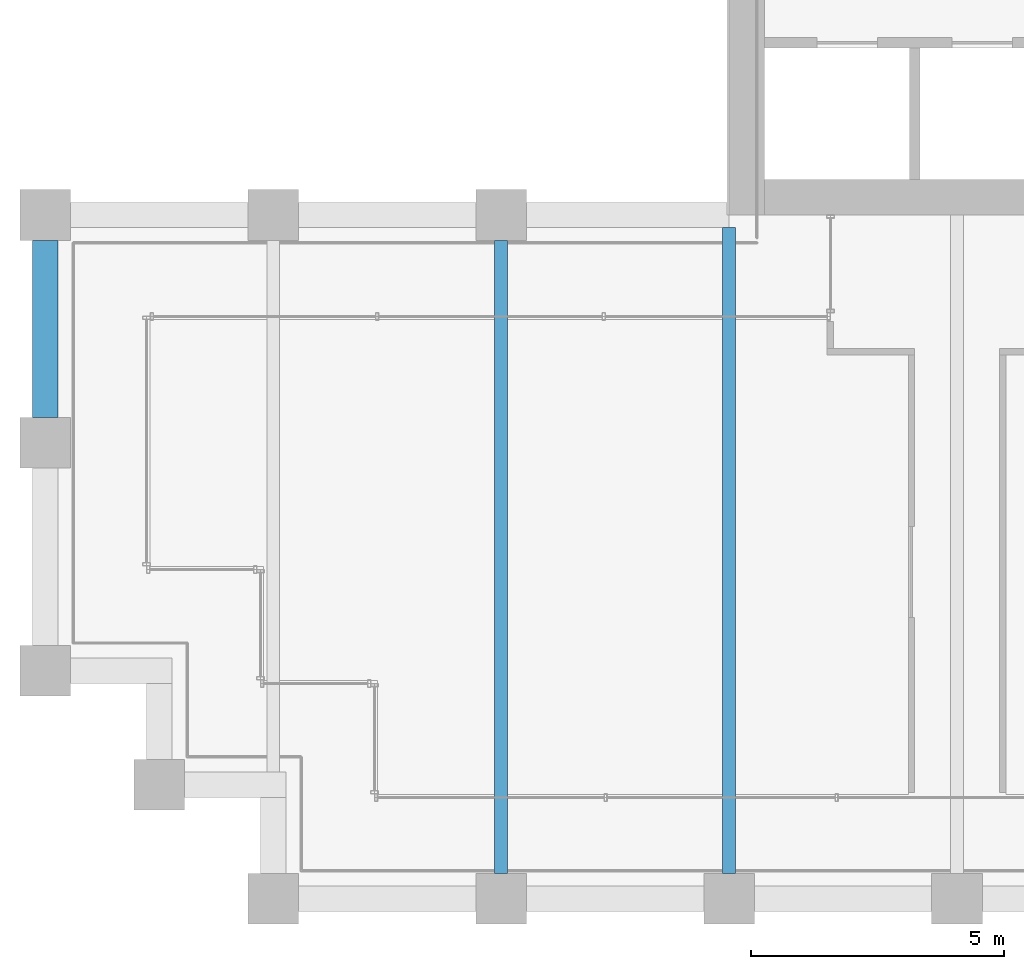
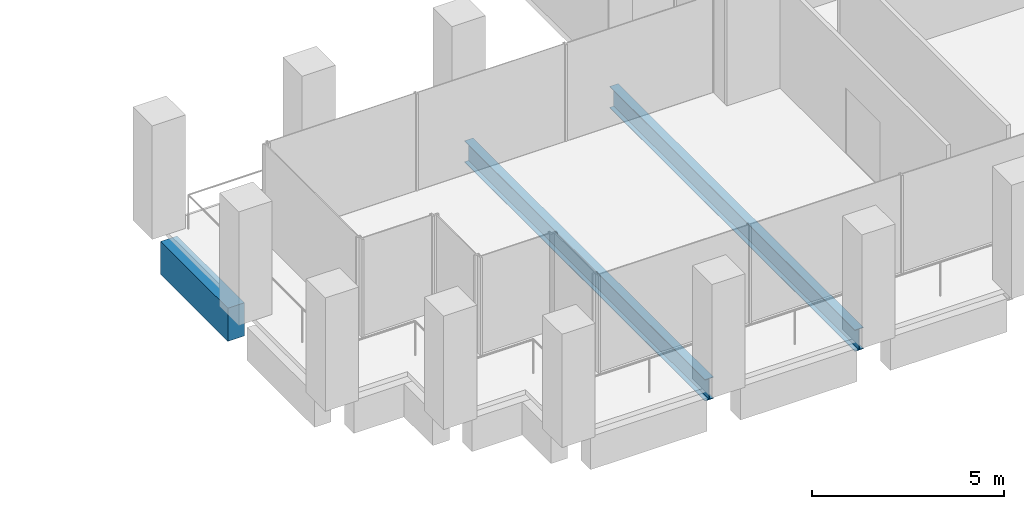
# One storey, part 4 of 46: 3 beams.
"""IFC4 building model written with IfcOpenShell, lengths in metres."""

from ifc_helpers import new_model, si_unit, direction, frame, origin, origin_2d, place, context, subcontext, project, spatial, rectangle, i_section, extrude, material, material_profile, profile_set, type_object, element, save


model = new_model("IFC4")

# Units and contexts
model_context = context("Model", 3, precision=1e-05, world=origin(), true_north=direction((0.0, 1.0)))
body_context = subcontext(model_context, "Body", "Model", "MODEL_VIEW")
ifc_project = project(units=[si_unit("LENGTHUNIT", "METRE"), si_unit("AREAUNIT", "SQUARE_METRE"), si_unit("VOLUMEUNIT", "CUBIC_METRE"), si_unit("PLANEANGLEUNIT", "RADIAN"), si_unit("MASSUNIT", "GRAM", prefix="KILO")], contexts=[model_context])

# Site, building, storey
site_placement = place(None, origin())
site = spatial("IfcSite", under=ifc_project, at=site_placement, CompositionType="ELEMENT")
building_placement = place(site_placement, origin())
building = spatial("IfcBuilding", under=site, at=building_placement, Name="Altepetl Exchange Towers", CompositionType="ELEMENT")
storey_placement = place(building_placement, frame((0.0, 0.0, 131.60009765625)))
storey = spatial("IfcBuildingStorey", under=building, at=storey_placement, Name="L32", CompositionType="ELEMENT", Elevation=131.60009765625)

# Beams
ifc_material_1 = material(Name="Steel S355", Category="steel")
ifc_material_profile_1 = material_profile(ifc_material_1, i_section(OverallWidth=0.25390625, OverallDepth=0.68408203125, WebThickness=0.012451171875, FlangeThickness=0.018798828125, at=origin_2d()), Name="W27X94")
ifc_profile_set_1 = profile_set([ifc_material_profile_1], Name="Steel S355")
beam_type_1 = type_object("IfcBeamType", Name="Floor beam W27X94", PredefinedType="BEAM", material=ifc_profile_set_1)
beam_1_placement = place(storey_placement, frame((36.0, 27.5, -0.4921875), z_axis=(0.0, 1.0, 0.0), x_axis=(-1.0, 0.0, 0.0)))
element("IfcBeam", 1, at=beam_1_placement, inside=storey, type_object=beam_type_1, Name="bm:A:L32:013", PredefinedType="BEAM", context=body_context, shape_type="SweptSolid", body=[
    extrude(i_section(OverallWidth=0.25390625, OverallDepth=0.68408203125, WebThickness=0.012451171875, FlangeThickness=0.018798828125, at=origin_2d()), origin(), (0.0, 0.0, 1.0), 12.5),
])
beam_2_placement = place(storey_placement, frame((40.5, 27.5, -0.4921875), z_axis=(0.0, 1.0, 0.0), x_axis=(-1.0, 0.0, 0.0)))
element("IfcBeam", 2, at=beam_2_placement, inside=storey, type_object=beam_type_1, Name="bm:A:L32:014", PredefinedType="BEAM", context=body_context, shape_type="SweptSolid", body=[
    extrude(i_section(OverallWidth=0.25390625, OverallDepth=0.68408203125, WebThickness=0.012451171875, FlangeThickness=0.018798828125, at=origin_2d()), origin(), (0.0, 0.0, 1.0), 12.75),
])
ifc_material_2 = material(Name="Concrete C50/60 precast with cantera blanca facing", Category="concrete")
ifc_material_profile_2 = material_profile(ifc_material_2, rectangle(XDim=0.5, YDim=1.050048828125, at=origin_2d()), Name="500 x 1050")
ifc_profile_set_2 = profile_set([ifc_material_profile_2], Name="Concrete C50/60 precast with cantera blanca facing")
beam_type_2 = type_object("IfcBeamType", Name="Spandrel beam 500x1050 cantera blanca", PredefinedType="SPANDREL", material=ifc_profile_set_2)
beam_3_placement = place(storey_placement, frame((27.0, 40.0, -0.675048828125), z_axis=(0.0, -1.0, 0.0), x_axis=(1.0, 0.0, 0.0)))
element("IfcBeam", 3, at=beam_3_placement, inside=storey, type_object=beam_type_2, Name="sp:A:L32:036", PredefinedType="SPANDREL", context=body_context, shape_type="SweptSolid", body=[
    extrude(rectangle(XDim=0.5, YDim=1.050048828125, at=origin_2d()), origin(), (0.0, 0.0, 1.0), 3.5),
])

save(model, "model.ifc")
